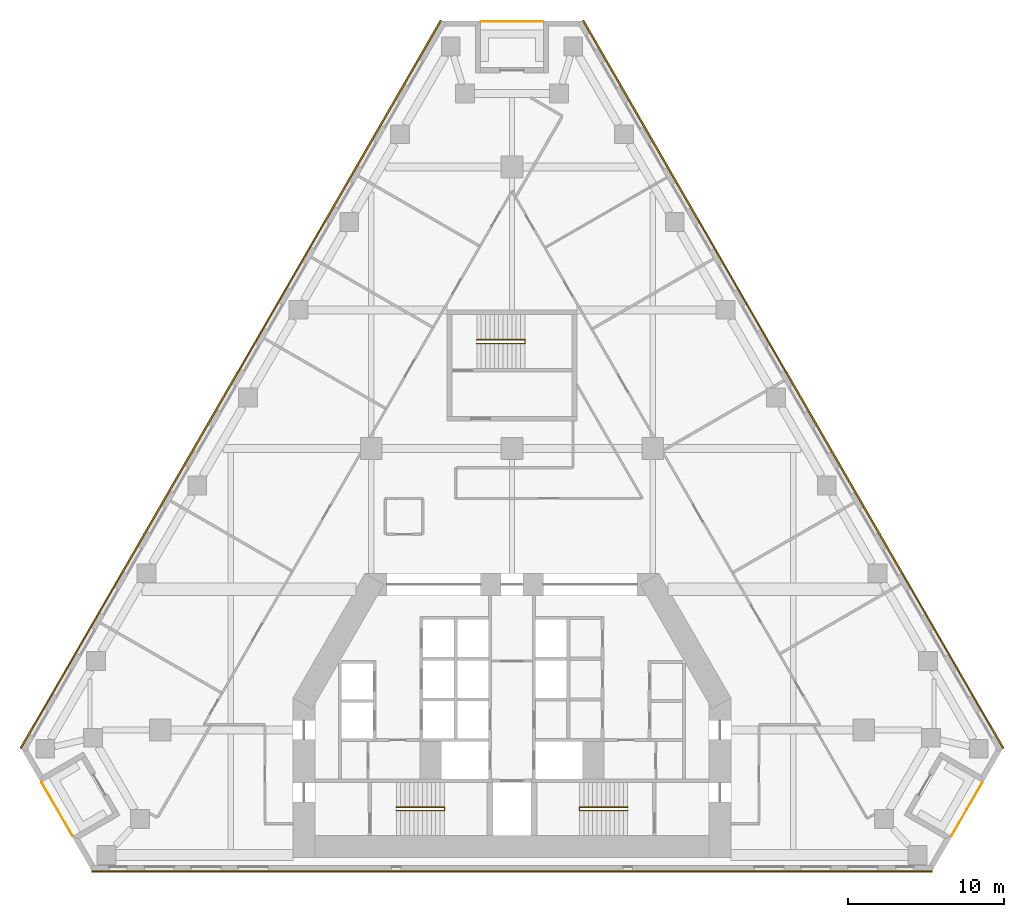
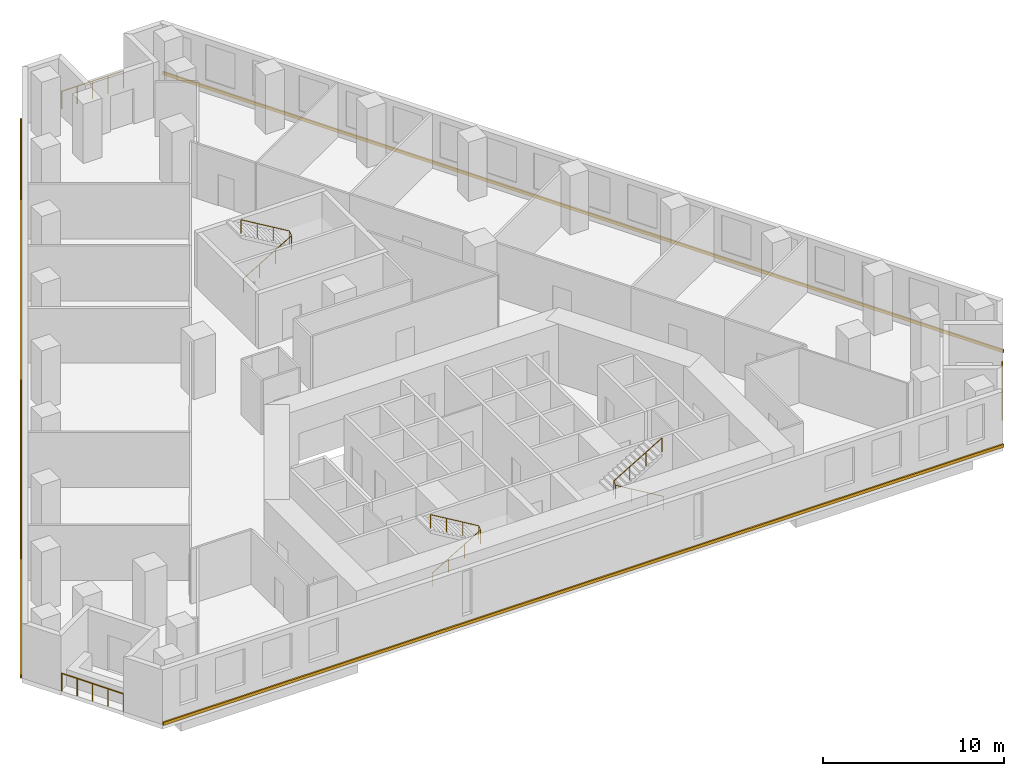
# One storey, part 9 of 9: 6 railings, 3 coverings.
"""IFC4 building model written with IfcOpenShell, lengths in metres."""

from ifc_helpers import new_model, si_unit, direction, frame, origin, origin_2d, place, context, subcontext, project, spatial, polyline, circle, outline, extrude, material, type_object, element, save


model = new_model("IFC4")

# Units and contexts
model_context = context("Model", 3, precision=1e-05, world=origin(), true_north=direction((0.0, 1.0)))
body_context = subcontext(model_context, "Body", "Model", "MODEL_VIEW")
ifc_project = project(units=[si_unit("LENGTHUNIT", "METRE"), si_unit("AREAUNIT", "SQUARE_METRE"), si_unit("VOLUMEUNIT", "CUBIC_METRE"), si_unit("PLANEANGLEUNIT", "RADIAN"), si_unit("MASSUNIT", "GRAM", prefix="KILO")], contexts=[model_context])

# Site, building, storey
site_placement = place(None, origin())
site = spatial("IfcSite", under=ifc_project, at=site_placement, CompositionType="ELEMENT")
building_placement = place(site_placement, origin())
building = spatial("IfcBuilding", under=site, at=building_placement, Name="Fogline Exchange Tower", CompositionType="ELEMENT")
storey_placement = place(building_placement, frame((0.0, 0.0, 68.89990234375)))
storey = spatial("IfcBuildingStorey", under=building, at=storey_placement, Name="L14", CompositionType="ELEMENT", Elevation=68.89990234375)

# Railings
ifc_material_1 = material(Name="Stainless steel 304", Category="steel")
railing_type_1 = type_object("IfcRailingType", Name="G1", PredefinedType="GUARDRAIL", material=ifc_material_1)
railing_1_placement = place(storey_placement, frame((-30.0791015625, 5.635986328125, 0.0)))
element("IfcRailing", 1, at=railing_1_placement, inside=storey, type_object=railing_type_1, Name="Balcony guard L14 SW", PredefinedType="GUARDRAIL", context=body_context, shape_type="SweptSolid", body=[
    extrude(circle(Radius=0.02392578125, at=origin_2d()), frame((0.0, 0.0, 1.17578125), z_axis=(0.500000102728, -0.866025344474, 0.0), x_axis=(0.866025344474, 0.500000102728, 0.0)), (0.0, 0.0, 1.0), 3.9580078125),
    extrude(circle(Radius=0.02099609375, at=origin_2d()), origin(), (0.0, 0.0, 1.0), 1.15185546875),
    extrude(circle(Radius=0.02099609375, at=origin_2d()), frame((0.49462890625, -0.85693359375, 0.0)), (0.0, 0.0, 1.0), 1.15185546875),
    extrude(circle(Radius=0.02099609375, at=origin_2d()), frame((0.989501953125, -1.7138671875, 0.0)), (0.0, 0.0, 1.0), 1.15185546875),
    extrude(circle(Radius=0.02099609375, at=origin_2d()), frame((1.484375, -2.57080078125, 0.0)), (0.0, 0.0, 1.0), 1.15185546875),
    extrude(circle(Radius=0.02099609375, at=origin_2d()), frame((1.97900390625, -3.427734375, 0.0)), (0.0, 0.0, 1.0), 1.15185546875),
])
railing_2_placement = place(storey_placement, frame((28.10009765625, 2.208251953125, 0.0)))
element("IfcRailing", 2, at=railing_2_placement, inside=storey, type_object=railing_type_1, Name="Balcony guard L14 SE", PredefinedType="GUARDRAIL", context=body_context, shape_type="SweptSolid", body=[
    extrude(circle(Radius=0.02392578125, at=origin_2d()), frame((0.0, 0.0, 1.17578125), z_axis=(0.500000102728, 0.866025344474, 0.0), x_axis=(-0.866025344474, 0.500000102728, 0.0)), (0.0, 0.0, 1.0), 3.9580078125),
    extrude(circle(Radius=0.02099609375, at=origin_2d()), origin(), (0.0, 0.0, 1.0), 1.15185546875),
    extrude(circle(Radius=0.02099609375, at=origin_2d()), frame((0.49462890625, 0.85693359375, 0.0)), (0.0, 0.0, 1.0), 1.15185546875),
    extrude(circle(Radius=0.02099609375, at=origin_2d()), frame((0.989501953125, 1.7138671875, 0.0)), (0.0, 0.0, 1.0), 1.15185546875),
    extrude(circle(Radius=0.02099609375, at=origin_2d()), frame((1.484375, 2.57080078125, 0.0)), (0.0, 0.0, 1.0), 1.15185546875),
    extrude(circle(Radius=0.02099609375, at=origin_2d()), frame((1.97900390625, 3.427734375, 0.0)), (0.0, 0.0, 1.0), 1.15185546875),
])
railing_3_placement = place(storey_placement, frame((1.97900390625, 54.306640625, 0.0)))
element("IfcRailing", 3, at=railing_3_placement, inside=storey, type_object=railing_type_1, Name="Balcony guard L14 N", PredefinedType="GUARDRAIL", context=body_context, shape_type="SweptSolid", body=[
    extrude(circle(Radius=0.02392578125, at=origin_2d()), frame((0.0, 0.0, 1.17578125), z_axis=(-1.0, 0.0, 0.0), x_axis=(0.0, -1.0, 0.0)), (0.0, 0.0, 1.0), 3.9580078125),
    extrude(circle(Radius=0.02099609375, at=origin_2d()), origin(), (0.0, 0.0, 1.0), 1.15185546875),
    extrude(circle(Radius=0.02099609375, at=origin_2d()), frame((-0.989501953125, 0.0, 0.0)), (0.0, 0.0, 1.0), 1.15185546875),
    extrude(circle(Radius=0.02099609375, at=origin_2d()), frame((-1.97900390625, 0.0, 0.0)), (0.0, 0.0, 1.0), 1.15185546875),
    extrude(circle(Radius=0.02099609375, at=origin_2d()), frame((-2.968505859375, 0.0, 0.0)), (0.0, 0.0, 1.0), 1.15185546875),
    extrude(circle(Radius=0.02099609375, at=origin_2d()), frame((-3.9580078125, 0.0, 0.0)), (0.0, 0.0, 1.0), 1.15185546875),
])
ifc_material_2 = material(Name="Steel Q235B", Category="steel")
railing_type_2 = type_object("IfcRailingType", Name="RL-HR", PredefinedType="HANDRAIL", material=ifc_material_2)
railing_4_placement = place(storey_placement, frame((-7.39990234375, 3.85009765625, 0.166748046875)))
element("IfcRailing", 4, at=railing_4_placement, inside=storey, type_object=railing_type_2, Name="Handrail ST1", PredefinedType="HANDRAIL", context=body_context, shape_type="SweptSolid", body=[
    extrude(circle(Radius=0.02392578125, at=origin_2d()), frame((0.0, 0.0, 0.92578125), z_axis=(0.859290745958, 0.0, 0.51148745235), x_axis=(0.0, 1.0, 0.0)), (0.0, 0.0, 1.0), 3.584228515625),
    extrude(circle(Radius=0.02392578125, at=origin_2d()), frame((3.079833984375, 0.0, 2.75927734375), z_axis=(0.0, 0.767990643491, 0.640461061666), x_axis=(-1.0, 0.0, 0.0)), (0.0, 0.0, 1.0), 0.26025390625),
    extrude(circle(Radius=0.02392578125, at=origin_2d()), frame((3.079833984375, 0.199951171875, 2.92578125), z_axis=(-0.859290745958, 0.0, 0.51148745235), x_axis=(0.0, -1.0, 0.0)), (0.0, 0.0, 1.0), 3.584228515625),
    extrude(circle(Radius=0.02099609375, at=origin_2d()), origin(), (0.0, 0.0, 1.0), 0.90185546875),
    extrude(circle(Radius=0.02099609375, at=origin_2d()), frame((1.026611328125, 0.0, 0.611083984375)), (0.0, 0.0, 1.0), 0.90185546875),
    extrude(circle(Radius=0.02099609375, at=origin_2d()), frame((2.05322265625, 0.0, 1.22216796875)), (0.0, 0.0, 1.0), 0.90185546875),
    extrude(circle(Radius=0.02099609375, at=origin_2d()), frame((3.079833984375, 0.0, 1.833251953125)), (0.0, 0.0, 1.0), 0.90185546875),
    extrude(circle(Radius=0.02099609375, at=origin_2d()), frame((3.079833984375, 0.199951171875, 2.0)), (0.0, 0.0, 1.0), 0.90185546875),
    extrude(circle(Radius=0.02099609375, at=origin_2d()), frame((2.05322265625, 0.199951171875, 2.611083984375)), (0.0, 0.0, 1.0), 0.90185546875),
    extrude(circle(Radius=0.02099609375, at=origin_2d()), frame((1.026611328125, 0.199951171875, 3.22216796875)), (0.0, 0.0, 1.0), 0.90185546875),
    extrude(circle(Radius=0.02099609375, at=origin_2d()), frame((0.0, 0.199951171875, 3.833251953125)), (0.0, 0.0, 1.0), 0.90185546875),
])
railing_5_placement = place(storey_placement, frame((7.39990234375, 3.85009765625, 0.166748046875)))
element("IfcRailing", 5, at=railing_5_placement, inside=storey, type_object=railing_type_2, Name="Handrail ST2", PredefinedType="HANDRAIL", context=body_context, shape_type="SweptSolid", body=[
    extrude(circle(Radius=0.02392578125, at=origin_2d()), frame((0.0, 0.0, 0.92578125), z_axis=(-0.859290745958, 0.0, 0.51148745235), x_axis=(0.0, -1.0, 0.0)), (0.0, 0.0, 1.0), 3.584228515625),
    extrude(circle(Radius=0.02392578125, at=origin_2d()), frame((-3.079833984375, 0.0, 2.75927734375), z_axis=(0.0, 0.767990643491, 0.640461061666), x_axis=(-1.0, 0.0, 0.0)), (0.0, 0.0, 1.0), 0.26025390625),
    extrude(circle(Radius=0.02392578125, at=origin_2d()), frame((-3.079833984375, 0.199951171875, 2.92578125), z_axis=(0.859290745958, 0.0, 0.51148745235), x_axis=(0.0, 1.0, 0.0)), (0.0, 0.0, 1.0), 3.584228515625),
    extrude(circle(Radius=0.02099609375, at=origin_2d()), origin(), (0.0, 0.0, 1.0), 0.90185546875),
    extrude(circle(Radius=0.02099609375, at=origin_2d()), frame((-1.026611328125, 0.0, 0.611083984375)), (0.0, 0.0, 1.0), 0.90185546875),
    extrude(circle(Radius=0.02099609375, at=origin_2d()), frame((-2.05322265625, 0.0, 1.22216796875)), (0.0, 0.0, 1.0), 0.90185546875),
    extrude(circle(Radius=0.02099609375, at=origin_2d()), frame((-3.079833984375, 0.0, 1.833251953125)), (0.0, 0.0, 1.0), 0.90185546875),
    extrude(circle(Radius=0.02099609375, at=origin_2d()), frame((-3.079833984375, 0.199951171875, 2.0)), (0.0, 0.0, 1.0), 0.90185546875),
    extrude(circle(Radius=0.02099609375, at=origin_2d()), frame((-2.05322265625, 0.199951171875, 2.611083984375)), (0.0, 0.0, 1.0), 0.90185546875),
    extrude(circle(Radius=0.02099609375, at=origin_2d()), frame((-1.026611328125, 0.199951171875, 3.22216796875)), (0.0, 0.0, 1.0), 0.90185546875),
    extrude(circle(Radius=0.02099609375, at=origin_2d()), frame((0.0, 0.199951171875, 3.833251953125)), (0.0, 0.0, 1.0), 0.90185546875),
])
railing_6_placement = place(storey_placement, frame((-2.25, 33.70703125, 0.166748046875)))
element("IfcRailing", 6, at=railing_6_placement, inside=storey, type_object=railing_type_2, Name="Handrail ST3", PredefinedType="HANDRAIL", context=body_context, shape_type="SweptSolid", body=[
    extrude(circle(Radius=0.02392578125, at=origin_2d()), frame((0.0, 0.0, 0.92578125), z_axis=(0.859308565015, 0.0, 0.511457515432), x_axis=(0.0, 1.0, 0.0)), (0.0, 0.0, 1.0), 3.58447265625),
    extrude(circle(Radius=0.02392578125, at=origin_2d()), frame((3.080078125, 0.0, 2.75927734375), z_axis=(0.0, 0.831925284441, 0.554887665306), x_axis=(-1.0, 0.0, 0.0)), (0.0, 0.0, 1.0), 0.300537109375),
    extrude(circle(Radius=0.02392578125, at=origin_2d()), frame((3.080078125, 0.25, 2.92578125), z_axis=(-0.859308565015, 0.0, 0.511457515432), x_axis=(0.0, -1.0, 0.0)), (0.0, 0.0, 1.0), 3.58447265625),
    extrude(circle(Radius=0.02099609375, at=origin_2d()), origin(), (0.0, 0.0, 1.0), 0.90185546875),
    extrude(circle(Radius=0.02099609375, at=origin_2d()), frame((1.026611328125, 0.0, 0.611083984375)), (0.0, 0.0, 1.0), 0.90185546875),
    extrude(circle(Radius=0.02099609375, at=origin_2d()), frame((2.053466796875, 0.0, 1.22216796875)), (0.0, 0.0, 1.0), 0.90185546875),
    extrude(circle(Radius=0.02099609375, at=origin_2d()), frame((3.080078125, 0.0, 1.833251953125)), (0.0, 0.0, 1.0), 0.90185546875),
    extrude(circle(Radius=0.02099609375, at=origin_2d()), frame((3.080078125, 0.25, 2.0)), (0.0, 0.0, 1.0), 0.90185546875),
    extrude(circle(Radius=0.02099609375, at=origin_2d()), frame((2.053466796875, 0.25, 2.611083984375)), (0.0, 0.0, 1.0), 0.90185546875),
    extrude(circle(Radius=0.02099609375, at=origin_2d()), frame((1.026611328125, 0.25, 3.22216796875)), (0.0, 0.0, 1.0), 0.90185546875),
    extrude(circle(Radius=0.02099609375, at=origin_2d()), frame((0.0, 0.25, 3.833251953125)), (0.0, 0.0, 1.0), 0.90185546875),
])

# Coverings
ifc_material_3 = material(Name="Brick masonry", Category="masonry")
covering_type = type_object("IfcCoveringType", Name="SB1", PredefinedType="CLADDING", material=ifc_material_3)
covering_1_placement = place(storey_placement, origin())
element("IfcCovering", 7, at=covering_1_placement, inside=storey, type_object=covering_type, Name="Stringcourse band L14 S", PredefinedType="CLADDING", context=body_context, shape_type="SweptSolid", body=[
    extrude(outline(polyline([(-26.8828125, 0.0), (-26.8828125, -0.10009765625), (26.8828125, -0.10009765625), (26.8828125, 0.0), (-26.8828125, 0.0)])), origin(), (0.0, 0.0, 1.0), 0.2001953125),
])
covering_2_placement = place(storey_placement, origin())
element("IfcCovering", 8, at=covering_2_placement, inside=storey, type_object=covering_type, Name="Stringcourse band L14 E", PredefinedType="CLADDING", context=body_context, shape_type="SweptSolid", body=[
    extrude(outline(polyline([(31.3828125, 7.794189453125), (31.469482421875, 7.84423828125), (4.586669921875, 54.40673828125), (4.5, 54.356689453125), (31.3828125, 7.794189453125)])), origin(), (0.0, 0.0, 1.0), 0.2001953125),
])
covering_3_placement = place(storey_placement, origin())
element("IfcCovering", 9, at=covering_3_placement, inside=storey, type_object=covering_type, Name="Stringcourse band L14 W", PredefinedType="CLADDING", context=body_context, shape_type="SweptSolid", body=[
    extrude(outline(polyline([(-4.5, 54.356689453125), (-4.586669921875, 54.40673828125), (-31.469482421875, 7.84423828125), (-31.3828125, 7.794189453125), (-4.5, 54.356689453125)])), origin(), (0.0, 0.0, 1.0), 0.2001953125),
])

save(model, "model.ifc")
